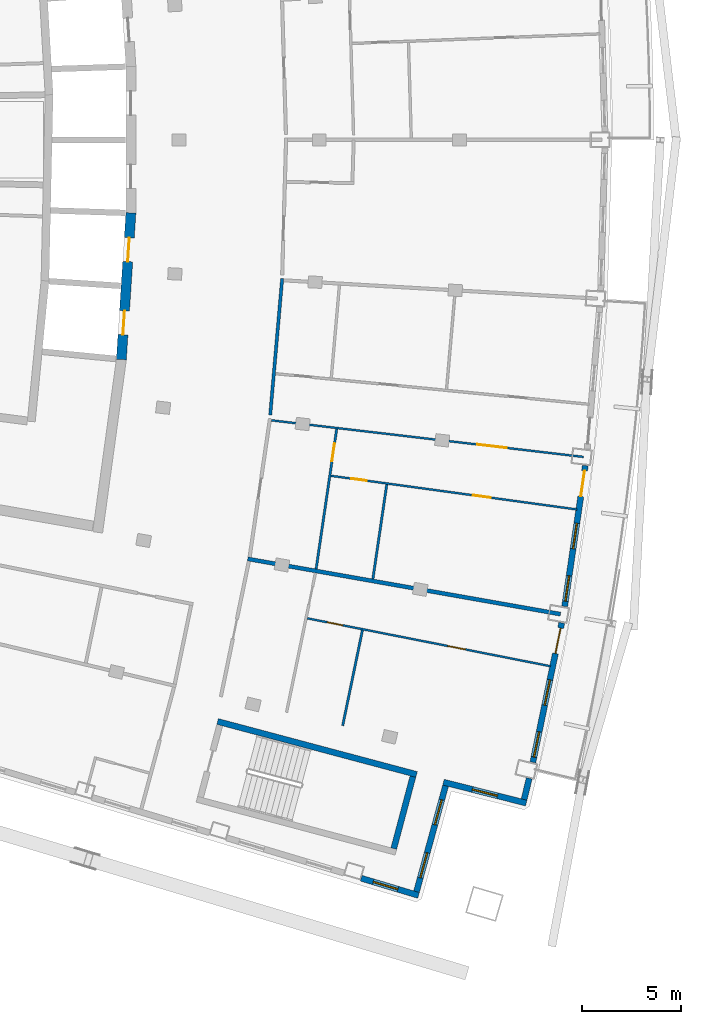
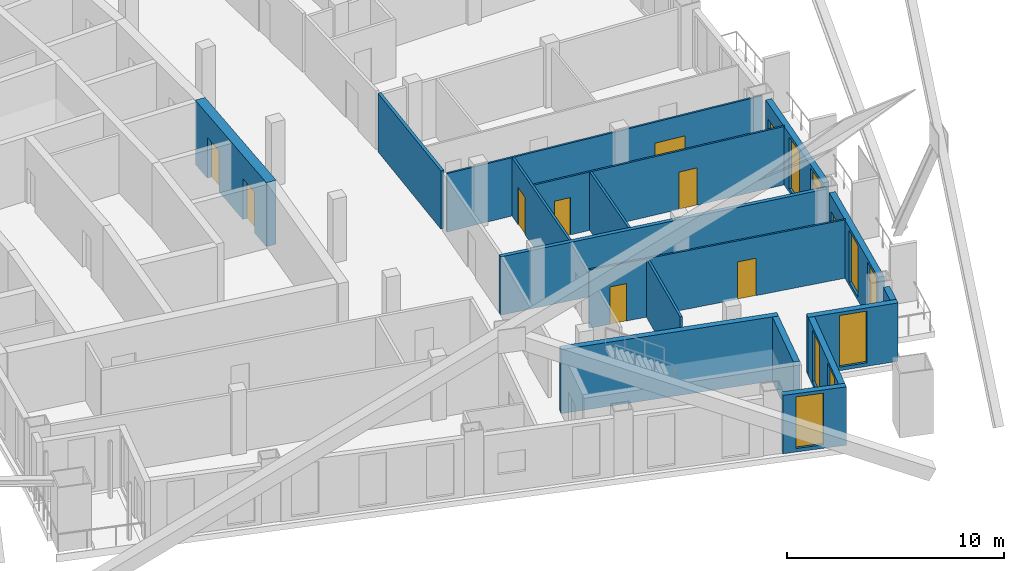
# One storey, part 9 of 16: 17 walls, 10 doors, 8 windows, 18 openings.
"""IFC4 building model written with IfcOpenShell, lengths in metres."""

from ifc_helpers import new_model, si_unit, direction, frame, frame_2d, origin, place, context, subcontext, project, spatial, rectangle, extrude, material, layer, layer_set, type_object, element, fill, save


model = new_model("IFC4")

# Units and contexts
model_context = context("Model", 3, precision=1e-05, world=origin(), true_north=direction((0.0, 1.0)))
body_context = subcontext(model_context, "Body", "Model", "MODEL_VIEW")
ifc_project = project(units=[si_unit("LENGTHUNIT", "METRE"), si_unit("AREAUNIT", "SQUARE_METRE"), si_unit("VOLUMEUNIT", "CUBIC_METRE"), si_unit("PLANEANGLEUNIT", "RADIAN"), si_unit("MASSUNIT", "GRAM", prefix="KILO")], contexts=[model_context])

# Site, building, storey
site_placement = place(None, origin())
site = spatial("IfcSite", under=ifc_project, at=site_placement, CompositionType="ELEMENT")
building_placement = place(site_placement, origin())
building = spatial("IfcBuilding", under=site, at=building_placement, Name="Alderwake Tower", CompositionType="ELEMENT")
storey_placement = place(building_placement, frame((0.0, 0.0, 245.60009765625)))
storey = spatial("IfcBuildingStorey", under=building, at=storey_placement, Name="L60", CompositionType="ELEMENT", Elevation=245.60009765625)

# Wall, openings, doors
ifc_material_1 = material(Name="Concrete C70/85", Category="concrete")
ifc_layer_1 = layer(ifc_material_1, 0.5)
ifc_layer_set_1 = layer_set([ifc_layer_1], Name="Core wall outer 500 C70-85")
wall_type_1 = type_object("IfcWallType", Name="Core wall outer 500 C70-85", PredefinedType="SHEAR", material=ifc_layer_set_1)
wall_1_placement = place(storey_placement, frame((32.91015625, 49.942138671875, 0.0), z_axis=(0.0, 0.0, 1.0), x_axis=(0.064980500916, 0.997886533881, 0.0)))
wall_1 = element("IfcWall", 1, at=wall_1_placement, inside=storey, type_object=wall_type_1, Name="Core wall CW.021", PredefinedType="SHEAR", context=body_context, shape_type="SweptSolid", body=[
    extrude(rectangle(XDim=7.39404296875, YDim=0.5, at=frame_2d((3.697021484375, 0.0))), origin(), (0.0, 0.0, 1.0), 3.599853515625),
])
opening_1_placement = place(wall_1_placement, frame((1.253173828125, 0.0, 0.0)))
opening_1 = element("IfcOpeningElement", 2, at=opening_1_placement, cuts=wall_1, Name="Opening LD-HP1", PredefinedType="OPENING", context=body_context, shape_type="SweptSolid", body=[
    extrude(rectangle(XDim=1.199951171875, YDim=2.300048828125, at=frame_2d((0.60009765625, 1.14990234375))), frame((0.0, 0.260009765625, 0.0), z_axis=(0.0, -1.0, 0.0), x_axis=(1.0, 0.0, 0.0)), (0.0, 0.0, 1.0), 0.52001953125),
])
opening_2_placement = place(wall_1_placement, frame((4.941650390625, 0.0, 0.0)))
opening_2 = element("IfcOpeningElement", 3, at=opening_2_placement, cuts=wall_1, Name="Opening LD-HP2", PredefinedType="OPENING", context=body_context, shape_type="SweptSolid", body=[
    extrude(rectangle(XDim=1.199951171875, YDim=2.300048828125, at=frame_2d((0.60009765625, 1.14990234375))), frame((0.0, 0.260009765625, 0.0), z_axis=(0.0, -1.0, 0.0), x_axis=(1.0, 0.0, 0.0)), (0.0, 0.0, 1.0), 0.52001953125),
])
ifc_material_2 = material(Name="Stainless steel sliding leaf", Category="steel")
door_type_1 = type_object("IfcDoorType", Name="Lift landing door 1200", OperationType="SLIDING_TO_LEFT", PredefinedType="DOOR", material=ifc_material_2)
door_1_placement = place(opening_1_placement, origin())
door_1 = element("IfcDoor", 4, at=door_1_placement, inside=storey, type_object=door_type_1, Name="Lift landing door HP1", OperationType="SLIDING_TO_LEFT", OverallHeight=2.300048828125, OverallWidth=1.199951171875, PredefinedType="DOOR", context=body_context, shape_type="SweptSolid", body=[
    extrude(rectangle(XDim=1.199951171875, YDim=2.300048828125, at=frame_2d((0.60009765625, 1.14990234375))), frame((0.0, 0.02490234375, 0.0), z_axis=(0.0, -1.0, 0.0), x_axis=(1.0, 0.0, 0.0)), (0.0, 0.0, 1.0), 0.050048828125),
])
fill(opening_1, door_1)
door_2_placement = place(opening_2_placement, origin())
door_2 = element("IfcDoor", 5, at=door_2_placement, inside=storey, type_object=door_type_1, Name="Lift landing door HP2", OperationType="SLIDING_TO_LEFT", OverallHeight=2.300048828125, OverallWidth=1.199951171875, PredefinedType="DOOR", context=body_context, shape_type="SweptSolid", body=[
    extrude(rectangle(XDim=1.199951171875, YDim=2.300048828125, at=frame_2d((0.60009765625, 1.14990234375))), frame((0.0, 0.02490234375, 0.0), z_axis=(0.0, -1.0, 0.0), x_axis=(1.0, 0.0, 0.0)), (0.0, 0.0, 1.0), 0.050048828125),
])
fill(opening_2, door_2)

# Walls
ifc_material_3 = material(Name="Concrete C70/85", Category="concrete")
ifc_layer_2 = layer(ifc_material_3, 0.300048828125)
ifc_layer_set_2 = layer_set([ifc_layer_2], Name="Core wall stair enclosure 300 C70-85")
wall_type_2 = type_object("IfcWallType", Name="Core wall stair enclosure 300 C70-85", PredefinedType="SHEAR", material=ifc_layer_set_2)
wall_2_placement = place(storey_placement, frame((37.75390625, 31.731201171875, 0.0), z_axis=(0.0, 0.0, 1.0), x_axis=(0.966309214305, -0.257383958996, 0.0)))
element("IfcWall", 6, at=wall_2_placement, inside=storey, type_object=wall_type_2, Name="Core wall CW.086", PredefinedType="SHEAR", context=body_context, shape_type="SweptSolid", body=[
    extrude(rectangle(XDim=10.360107421875, YDim=0.300048828125, at=frame_2d((5.18017578125, 0.0))), origin(), (0.0, 0.0, 1.0), 3.599853515625),
])
wall_3_placement = place(storey_placement, frame((46.6162109375, 25.334716796875, 0.0), z_axis=(0.0, 0.0, 1.0), x_axis=(0.257366821694, 0.966313778796, 0.0)))
element("IfcWall", 7, at=wall_3_placement, inside=storey, type_object=wall_type_2, Name="Core wall CW.085", PredefinedType="SHEAR", context=body_context, shape_type="SweptSolid", body=[
    extrude(rectangle(XDim=3.749755859375, YDim=0.300048828125, at=frame_2d((1.875, 0.0))), origin(), (0.0, 0.0, 1.0), 3.599853515625),
])
ifc_material_4 = material(Name="Gypsum board on metal studs, rated")
ifc_layer_3 = layer(ifc_material_4, 0.159912109375)
ifc_layer_set_3 = layer_set([ifc_layer_3], Name="Corridor wall 160")
wall_type_3 = type_object("IfcWallType", Name="Corridor wall 160", PredefinedType="PARTITIONING", material=ifc_layer_set_3)
wall_4_placement = place(storey_placement, frame((40.400390625, 47.15869140625, 0.0), z_axis=(0.0, 0.0, 1.0), x_axis=(0.087419573149, 0.996171580718, 0.0)))
element("IfcWall", 8, at=wall_4_placement, inside=storey, type_object=wall_type_3, Name="WL/L60/W21", PredefinedType="PARTITIONING", context=body_context, shape_type="SweptSolid", body=[
    extrude(rectangle(XDim=6.88134765625, YDim=0.159912109375, at=frame_2d((3.440673828125, 0.0))), origin(), (0.0, 0.0, 1.0), 3.27978515625),
])
ifc_material_5 = material(Name="Precast concrete C50/60 spandrel panel", Category="concrete")
ifc_layer_4 = layer(ifc_material_5, 0.300048828125)
ifc_layer_set_4 = layer_set([ifc_layer_4], Name="External wall EW1 Precast concrete C50/60 spandrel")
wall_type_4 = type_object("IfcWallType", Name="External wall EW1 Precast concrete C50/60 spandrel", PredefinedType="SOLIDWALL", material=ifc_layer_set_4)
wall_5_placement = place(storey_placement, frame((53.1728515625, 27.806396484375, 0.0), z_axis=(0.0, 0.0, 1.0), x_axis=(0.238288905539, 0.971194315005, 0.0)))
element("IfcWall", 9, at=wall_5_placement, inside=storey, type_object=wall_type_4, Name="External wall 11", PredefinedType="SOLIDWALL", context=body_context, shape_type="SweptSolid", body=[
    extrude(rectangle(XDim=1.09619140625, YDim=0.300048828125, at=frame_2d((0.548095703125, 0.0))), origin(), (0.0, 0.0, 1.0), 3.27978515625),
])

# Wall, openings, door, windows
wall_6_placement = place(storey_placement, frame((53.6162109375, 29.677734375, 0.0), z_axis=(0.0, 0.0, 1.0), x_axis=(0.202732982931, 0.979234056614, 0.0)))
wall_6 = element("IfcWall", 10, at=wall_6_placement, inside=storey, type_object=wall_type_4, Name="External wall 12", PredefinedType="SOLIDWALL", context=body_context, shape_type="SweptSolid", body=[
    extrude(rectangle(XDim=7.16162109375, YDim=0.300048828125, at=frame_2d((3.580810546875, 0.0))), origin(), (0.0, 0.0, 1.0), 3.27978515625),
])
opening_3_placement = place(wall_6_placement, frame((0.267333984375, 0.0, 0.199951171875)))
opening_3 = element("IfcOpeningElement", 11, at=opening_3_placement, cuts=wall_6, Name="Opening W1", PredefinedType="OPENING", context=body_context, shape_type="SweptSolid", body=[
    extrude(rectangle(XDim=1.300048828125, YDim=2.89990234375, at=frame_2d((0.64990234375, 1.449951171875))), frame((0.0, 0.159912109375, 0.0), z_axis=(0.0, -1.0, 0.0), x_axis=(1.0, 0.0, 0.0)), (0.0, 0.0, 1.0), 0.320068359375),
])
opening_4_placement = place(wall_6_placement, frame((2.930908203125, 0.0, 0.199951171875)))
opening_4 = element("IfcOpeningElement", 12, at=opening_4_placement, cuts=wall_6, Name="Opening W1", PredefinedType="OPENING", context=body_context, shape_type="SweptSolid", body=[
    extrude(rectangle(XDim=1.300048828125, YDim=2.89990234375, at=frame_2d((0.64990234375, 1.449951171875))), frame((0.0, 0.159912109375, 0.0), z_axis=(0.0, -1.0, 0.0), x_axis=(1.0, 0.0, 0.0)), (0.0, 0.0, 1.0), 0.320068359375),
])
opening_5_placement = place(wall_6_placement, frame((5.594482421875, 0.0, 0.0)))
opening_5 = element("IfcOpeningElement", 13, at=opening_5_placement, cuts=wall_6, Name="Opening D02", PredefinedType="OPENING", context=body_context, shape_type="SweptSolid", body=[
    extrude(rectangle(XDim=1.300048828125, YDim=2.39990234375, at=frame_2d((0.64990234375, 1.199951171875))), frame((0.0, 0.159912109375, 0.0), z_axis=(0.0, -1.0, 0.0), x_axis=(1.0, 0.0, 0.0)), (0.0, 0.0, 1.0), 0.320068359375),
])
ifc_material_6 = material(Name="Bronze tinted glass in aluminium frame", Category="aluminium")
door_type_2 = type_object("IfcDoorType", Name="Balcony door BD sliding", OperationType="SLIDING_TO_LEFT", PredefinedType="DOOR", material=ifc_material_6)
door_3_placement = place(opening_5_placement, origin())
door_3 = element("IfcDoor", 14, at=door_3_placement, inside=storey, type_object=door_type_2, Name="Door D02", OperationType="SLIDING_TO_LEFT", OverallHeight=2.39990234375, OverallWidth=1.300048828125, PredefinedType="DOOR", context=body_context, shape_type="SweptSolid", body=[
    extrude(rectangle(XDim=1.300048828125, YDim=2.39990234375, at=frame_2d((0.64990234375, 1.199951171875))), frame((0.0, 0.02490234375, 0.0), z_axis=(0.0, -1.0, 0.0), x_axis=(1.0, 0.0, 0.0)), (0.0, 0.0, 1.0), 0.050048828125),
])
fill(opening_5, door_3)
ifc_material_7 = material(Name="Bronze tinted glass in aluminium frame", Category="aluminium")
window_type = type_object("IfcWindowType", Name="Window W1 tall fixed and vent", PartitioningType="DOUBLE_PANEL_VERTICAL", PredefinedType="WINDOW", material=ifc_material_7)
window_1_placement = place(opening_3_placement, origin())
window_1 = element("IfcWindow", 15, at=window_1_placement, inside=storey, type_object=window_type, Name="Window W1 tall fixed and vent", OverallHeight=2.89990234375, OverallWidth=1.300048828125, PartitioningType="DOUBLE_PANEL_VERTICAL", PredefinedType="WINDOW", context=body_context, shape_type="SweptSolid", body=[
    extrude(rectangle(XDim=1.300048828125, YDim=2.89990234375, at=frame_2d((0.64990234375, 1.449951171875))), frame((0.0, 0.030029296875, 0.0), z_axis=(0.0, -1.0, 0.0), x_axis=(1.0, 0.0, 0.0)), (0.0, 0.0, 1.0), 0.06005859375),
])
fill(opening_3, window_1)
window_2_placement = place(opening_4_placement, origin())
window_2 = element("IfcWindow", 16, at=window_2_placement, inside=storey, type_object=window_type, Name="Window W1 tall fixed and vent", OverallHeight=2.89990234375, OverallWidth=1.300048828125, PartitioningType="DOUBLE_PANEL_VERTICAL", PredefinedType="WINDOW", context=body_context, shape_type="SweptSolid", body=[
    extrude(rectangle(XDim=1.300048828125, YDim=2.89990234375, at=frame_2d((0.64990234375, 1.449951171875))), frame((0.0, 0.030029296875, 0.0), z_axis=(0.0, -1.0, 0.0), x_axis=(1.0, 0.0, 0.0)), (0.0, 0.0, 1.0), 0.06005859375),
])
fill(opening_4, window_2)

wall_7_placement = place(storey_placement, frame((55.21484375, 37.52099609375, 0.0), z_axis=(0.0, 0.0, 1.0), x_axis=(0.145324203969, 0.989384089088, 0.0)))
wall_7 = element("IfcWall", 17, at=wall_7_placement, inside=storey, type_object=wall_type_4, Name="External wall 13", PredefinedType="SOLIDWALL", context=body_context, shape_type="SweptSolid", body=[
    extrude(rectangle(XDim=7.16162109375, YDim=0.300048828125, at=frame_2d((3.580810546875, 0.0))), origin(), (0.0, 0.0, 1.0), 3.27978515625),
])
opening_6_placement = place(wall_7_placement, frame((0.267333984375, 0.0, 0.199951171875)))
opening_6 = element("IfcOpeningElement", 18, at=opening_6_placement, cuts=wall_7, Name="Opening W1", PredefinedType="OPENING", context=body_context, shape_type="SweptSolid", body=[
    extrude(rectangle(XDim=1.300048828125, YDim=2.89990234375, at=frame_2d((0.64990234375, 1.449951171875))), frame((0.0, 0.159912109375, 0.0), z_axis=(0.0, -1.0, 0.0), x_axis=(1.0, 0.0, 0.0)), (0.0, 0.0, 1.0), 0.320068359375),
])
opening_7_placement = place(wall_7_placement, frame((2.930908203125, 0.0, 0.199951171875)))
opening_7 = element("IfcOpeningElement", 19, at=opening_7_placement, cuts=wall_7, Name="Opening W1", PredefinedType="OPENING", context=body_context, shape_type="SweptSolid", body=[
    extrude(rectangle(XDim=1.300048828125, YDim=2.89990234375, at=frame_2d((0.64990234375, 1.449951171875))), frame((0.0, 0.159912109375, 0.0), z_axis=(0.0, -1.0, 0.0), x_axis=(1.0, 0.0, 0.0)), (0.0, 0.0, 1.0), 0.320068359375),
])
opening_8_placement = place(wall_7_placement, frame((5.594482421875, 0.0, 0.0)))
opening_8 = element("IfcOpeningElement", 20, at=opening_8_placement, cuts=wall_7, Name="Opening D03", PredefinedType="OPENING", context=body_context, shape_type="SweptSolid", body=[
    extrude(rectangle(XDim=1.300048828125, YDim=2.39990234375, at=frame_2d((0.64990234375, 1.199951171875))), frame((0.0, 0.159912109375, 0.0), z_axis=(0.0, -1.0, 0.0), x_axis=(1.0, 0.0, 0.0)), (0.0, 0.0, 1.0), 0.320068359375),
])
door_4_placement = place(opening_8_placement, origin())
door_4 = element("IfcDoor", 21, at=door_4_placement, inside=storey, type_object=door_type_2, Name="Door D03", OperationType="SLIDING_TO_LEFT", OverallHeight=2.39990234375, OverallWidth=1.300048828125, PredefinedType="DOOR", context=body_context, shape_type="SweptSolid", body=[
    extrude(rectangle(XDim=1.300048828125, YDim=2.39990234375, at=frame_2d((0.64990234375, 1.199951171875))), frame((0.0, 0.02490234375, 0.0), z_axis=(0.0, -1.0, 0.0), x_axis=(1.0, 0.0, 0.0)), (0.0, 0.0, 1.0), 0.050048828125),
])
fill(opening_8, door_4)
window_3_placement = place(opening_6_placement, origin())
window_3 = element("IfcWindow", 22, at=window_3_placement, inside=storey, type_object=window_type, Name="Window W1 tall fixed and vent", OverallHeight=2.89990234375, OverallWidth=1.300048828125, PartitioningType="DOUBLE_PANEL_VERTICAL", PredefinedType="WINDOW", context=body_context, shape_type="SweptSolid", body=[
    extrude(rectangle(XDim=1.300048828125, YDim=2.89990234375, at=frame_2d((0.64990234375, 1.449951171875))), frame((0.0, 0.030029296875, 0.0), z_axis=(0.0, -1.0, 0.0), x_axis=(1.0, 0.0, 0.0)), (0.0, 0.0, 1.0), 0.06005859375),
])
fill(opening_6, window_3)
window_4_placement = place(opening_7_placement, origin())
window_4 = element("IfcWindow", 23, at=window_4_placement, inside=storey, type_object=window_type, Name="Window W1 tall fixed and vent", OverallHeight=2.89990234375, OverallWidth=1.300048828125, PartitioningType="DOUBLE_PANEL_VERTICAL", PredefinedType="WINDOW", context=body_context, shape_type="SweptSolid", body=[
    extrude(rectangle(XDim=1.300048828125, YDim=2.89990234375, at=frame_2d((0.64990234375, 1.449951171875))), frame((0.0, 0.030029296875, 0.0), z_axis=(0.0, -1.0, 0.0), x_axis=(1.0, 0.0, 0.0)), (0.0, 0.0, 1.0), 0.06005859375),
])
fill(opening_7, window_4)

# Wall, opening, window
ifc_material_8 = material(Name="Bronze metal cladding on lightweight framing")
ifc_layer_5 = layer(ifc_material_8, 0.300048828125)
ifc_layer_set_5 = layer_set([ifc_layer_5], Name="External wall EW2 bronze metal cladding")
wall_type_5 = type_object("IfcWallType", Name="External wall EW2 bronze metal cladding", PredefinedType="SOLIDWALL", material=ifc_layer_set_5)
wall_8_placement = place(storey_placement, frame((44.9775390625, 23.843505859375, 0.0), z_axis=(0.0, 0.0, 1.0), x_axis=(0.957781669683, -0.287496562101, 0.0)))
wall_8 = element("IfcWall", 24, at=wall_8_placement, inside=storey, type_object=wall_type_5, Name="External wall 8", PredefinedType="SOLIDWALL", context=body_context, shape_type="SweptSolid", body=[
    extrude(rectangle(XDim=3.012939453125, YDim=0.300048828125, at=frame_2d((1.50634765625, 0.0))), origin(), (0.0, 0.0, 1.0), 3.27978515625),
])
opening_9_placement = place(wall_8_placement, frame((0.630859375, 0.0, 0.199951171875)))
opening_9 = element("IfcOpeningElement", 25, at=opening_9_placement, cuts=wall_8, Name="Opening W1", PredefinedType="OPENING", context=body_context, shape_type="SweptSolid", body=[
    extrude(rectangle(XDim=1.300048828125, YDim=2.89990234375, at=frame_2d((0.64990234375, 1.449951171875))), frame((0.0, 0.159912109375, 0.0), z_axis=(0.0, -1.0, 0.0), x_axis=(1.0, 0.0, 0.0)), (0.0, 0.0, 1.0), 0.320068359375),
])
window_5_placement = place(opening_9_placement, origin())
window_5 = element("IfcWindow", 26, at=window_5_placement, inside=storey, type_object=window_type, Name="Window W1 tall fixed and vent", OverallHeight=2.89990234375, OverallWidth=1.300048828125, PartitioningType="DOUBLE_PANEL_VERTICAL", PredefinedType="WINDOW", context=body_context, shape_type="SweptSolid", body=[
    extrude(rectangle(XDim=1.300048828125, YDim=2.89990234375, at=frame_2d((0.64990234375, 1.449951171875))), frame((0.0, 0.030029296875, 0.0), z_axis=(0.0, -1.0, 0.0), x_axis=(1.0, 0.0, 0.0)), (0.0, 0.0, 1.0), 0.06005859375),
])
fill(opening_9, window_5)

# Wall, openings, windows
wall_9_placement = place(storey_placement, frame((47.759521484375, 23.164794921875, 0.0), z_axis=(0.0, 0.0, 1.0), x_axis=(0.265055910213, 0.964233044684, 0.0)))
wall_9 = element("IfcWall", 27, at=wall_9_placement, inside=storey, type_object=wall_type_5, Name="External wall 9", PredefinedType="SOLIDWALL", context=body_context, shape_type="SweptSolid", body=[
    extrude(rectangle(XDim=5.529296875, YDim=0.300048828125, at=frame_2d((2.7646484375, 0.0))), origin(), (0.0, 0.0, 1.0), 3.27978515625),
])
opening_10_placement = place(wall_9_placement, frame((0.732421875, 0.0, 0.199951171875)))
opening_10 = element("IfcOpeningElement", 28, at=opening_10_placement, cuts=wall_9, Name="Opening W1", PredefinedType="OPENING", context=body_context, shape_type="SweptSolid", body=[
    extrude(rectangle(XDim=1.300048828125, YDim=2.89990234375, at=frame_2d((0.64990234375, 1.449951171875))), frame((0.0, 0.159912109375, 0.0), z_axis=(0.0, -1.0, 0.0), x_axis=(1.0, 0.0, 0.0)), (0.0, 0.0, 1.0), 0.320068359375),
])
opening_11_placement = place(wall_9_placement, frame((3.496826171875, 0.0, 0.199951171875)))
opening_11 = element("IfcOpeningElement", 29, at=opening_11_placement, cuts=wall_9, Name="Opening W1", PredefinedType="OPENING", context=body_context, shape_type="SweptSolid", body=[
    extrude(rectangle(XDim=1.300048828125, YDim=2.89990234375, at=frame_2d((0.64990234375, 1.449951171875))), frame((0.0, 0.159912109375, 0.0), z_axis=(0.0, -1.0, 0.0), x_axis=(1.0, 0.0, 0.0)), (0.0, 0.0, 1.0), 0.320068359375),
])
window_6_placement = place(opening_10_placement, origin())
window_6 = element("IfcWindow", 30, at=window_6_placement, inside=storey, type_object=window_type, Name="Window W1 tall fixed and vent", OverallHeight=2.89990234375, OverallWidth=1.300048828125, PartitioningType="DOUBLE_PANEL_VERTICAL", PredefinedType="WINDOW", context=body_context, shape_type="SweptSolid", body=[
    extrude(rectangle(XDim=1.300048828125, YDim=2.89990234375, at=frame_2d((0.64990234375, 1.449951171875))), frame((0.0, 0.030029296875, 0.0), z_axis=(0.0, -1.0, 0.0), x_axis=(1.0, 0.0, 0.0)), (0.0, 0.0, 1.0), 0.06005859375),
])
fill(opening_10, window_6)
window_7_placement = place(opening_11_placement, origin())
window_7 = element("IfcWindow", 31, at=window_7_placement, inside=storey, type_object=window_type, Name="Window W1 tall fixed and vent", OverallHeight=2.89990234375, OverallWidth=1.300048828125, PartitioningType="DOUBLE_PANEL_VERTICAL", PredefinedType="WINDOW", context=body_context, shape_type="SweptSolid", body=[
    extrude(rectangle(XDim=1.300048828125, YDim=2.89990234375, at=frame_2d((0.64990234375, 1.449951171875))), frame((0.0, 0.030029296875, 0.0), z_axis=(0.0, -1.0, 0.0), x_axis=(1.0, 0.0, 0.0)), (0.0, 0.0, 1.0), 0.06005859375),
])
fill(opening_11, window_7)

# Wall, opening, window
wall_10_placement = place(storey_placement, frame((49.11962890625, 28.677734375, 0.0), z_axis=(0.0, 0.0, 1.0), x_axis=(0.969425962264, -0.245383992325, 0.0)))
wall_10 = element("IfcWall", 32, at=wall_10_placement, inside=storey, type_object=wall_type_5, Name="External wall 10", PredefinedType="SOLIDWALL", context=body_context, shape_type="SweptSolid", body=[
    extrude(rectangle(XDim=4.294189453125, YDim=0.300048828125, at=frame_2d((2.14697265625, 0.0))), origin(), (0.0, 0.0, 1.0), 3.27978515625),
])
opening_12_placement = place(wall_10_placement, frame((1.4970703125, 0.0, 0.199951171875)))
opening_12 = element("IfcOpeningElement", 33, at=opening_12_placement, cuts=wall_10, Name="Opening W1", PredefinedType="OPENING", context=body_context, shape_type="SweptSolid", body=[
    extrude(rectangle(XDim=1.300048828125, YDim=2.89990234375, at=frame_2d((0.64990234375, 1.449951171875))), frame((0.0, 0.159912109375, 0.0), z_axis=(0.0, -1.0, 0.0), x_axis=(1.0, 0.0, 0.0)), (0.0, 0.0, 1.0), 0.320068359375),
])
window_8_placement = place(opening_12_placement, origin())
window_8 = element("IfcWindow", 34, at=window_8_placement, inside=storey, type_object=window_type, Name="Window W1 tall fixed and vent", OverallHeight=2.89990234375, OverallWidth=1.300048828125, PartitioningType="DOUBLE_PANEL_VERTICAL", PredefinedType="WINDOW", context=body_context, shape_type="SweptSolid", body=[
    extrude(rectangle(XDim=1.300048828125, YDim=2.89990234375, at=frame_2d((0.64990234375, 1.449951171875))), frame((0.0, 0.030029296875, 0.0), z_axis=(0.0, -1.0, 0.0), x_axis=(1.0, 0.0, 0.0)), (0.0, 0.0, 1.0), 0.06005859375),
])
fill(opening_12, window_8)

# Wall
ifc_material_9 = material(Name="Dense block masonry wall", Category="masonry")
ifc_layer_6 = layer(ifc_material_9, 0.199951171875)
ifc_layer_set_6 = layer_set([ifc_layer_6], Name="Party wall 200")
wall_type_6 = type_object("IfcWallType", Name="Party wall 200", PredefinedType="SOLIDWALL", material=ifc_layer_set_6)
wall_11_placement = place(storey_placement, frame((55.0048828125, 37.131103515625, 0.0), z_axis=(0.0, 0.0, 1.0), x_axis=(-0.984752319184, 0.173962265624, 0.0)))
element("IfcWall", 35, at=wall_11_placement, inside=storey, type_object=wall_type_6, Name="WL/L60/W02", PredefinedType="SOLIDWALL", context=body_context, shape_type="SweptSolid", body=[
    extrude(rectangle(XDim=15.979248046875, YDim=0.199951171875, at=frame_2d((7.98974609375, 0.0))), origin(), (0.0, 0.0, 1.0), 3.27978515625),
])

# Wall, opening, door
ifc_material_10 = material(Name="Gypsum board on metal studs")
ifc_layer_7 = layer(ifc_material_10, 0.10009765625)
ifc_layer_set_7 = layer_set([ifc_layer_7], Name="Unit partition 100")
wall_type_7 = type_object("IfcWallType", Name="Unit partition 100", PredefinedType="PARTITIONING", material=ifc_layer_set_7)
wall_12_placement = place(storey_placement, frame((40.45654296875, 46.8837890625, 0.0), z_axis=(0.0, 0.0, 1.0), x_axis=(0.993199815396, -0.116422191605, 0.0)))
wall_12 = element("IfcWall", 36, at=wall_12_placement, inside=storey, type_object=wall_type_7, Name="WL/L60/W46", PredefinedType="PARTITIONING", context=body_context, shape_type="SweptSolid", body=[
    extrude(rectangle(XDim=15.820068359375, YDim=0.10009765625, at=frame_2d((7.91015625, 0.0))), origin(), (0.0, 0.0, 1.0), 3.27978515625),
])
opening_13_placement = place(wall_12_placement, frame((10.43310546875, 0.0, 0.0)))
opening_13 = element("IfcOpeningElement", 37, at=opening_13_placement, cuts=wall_12, Name="Opening R17-U04.8", PredefinedType="OPENING", context=body_context, shape_type="SweptSolid", body=[
    extrude(rectangle(XDim=1.5, YDim=2.10009765625, at=frame_2d((0.75, 1.050048828125))), frame((0.0, 0.06005859375, 0.0), z_axis=(0.0, -1.0, 0.0), x_axis=(1.0, 0.0, 0.0)), (0.0, 0.0, 1.0), 0.1201171875),
])
ifc_material_11 = material(Name="Painted timber leaves", Category="wood")
door_type_3 = type_object("IfcDoorType", Name="Double leaf door 1500", OperationType="DOUBLE_DOOR_SINGLE_SWING", PredefinedType="DOOR", material=ifc_material_11)
door_5_placement = place(opening_13_placement, origin())
door_5 = element("IfcDoor", 38, at=door_5_placement, inside=storey, type_object=door_type_3, Name="DR/L60/U04.8", OperationType="DOUBLE_DOOR_SINGLE_SWING", OverallHeight=2.10009765625, OverallWidth=1.5, PredefinedType="DOOR", context=body_context, shape_type="SweptSolid", body=[
    extrude(rectangle(XDim=1.5, YDim=2.10009765625, at=frame_2d((0.75, 1.050048828125))), frame((0.0, 0.02490234375, 0.0), z_axis=(0.0, -1.0, 0.0), x_axis=(1.0, 0.0, 0.0)), (0.0, 0.0, 1.0), 0.050048828125),
])
fill(opening_13, door_5)

# Wall, openings, doors
wall_13_placement = place(storey_placement, frame((54.512939453125, 34.509033203125, 0.0), z_axis=(0.0, 0.0, 1.0), x_axis=(-0.981147486364, 0.193260471907, 0.0)))
wall_13 = element("IfcWall", 39, at=wall_13_placement, inside=storey, type_object=wall_type_7, Name="WL/L60/W48", PredefinedType="PARTITIONING", context=body_context, shape_type="SweptSolid", body=[
    extrude(rectangle(XDim=12.482421875, YDim=0.10009765625, at=frame_2d((6.2412109375, 0.0))), origin(), (0.0, 0.0, 1.0), 3.27978515625),
])
opening_14_placement = place(wall_13_placement, frame((10.663818359375, 0.0, 0.0)))
opening_14 = element("IfcOpeningElement", 40, at=opening_14_placement, cuts=wall_13, Name="Opening R17-U03.3", PredefinedType="OPENING", context=body_context, shape_type="SweptSolid", body=[
    extrude(rectangle(XDim=0.800048828125, YDim=2.10009765625, at=frame_2d((0.39990234375, 1.050048828125))), frame((0.0, 0.06005859375, 0.0), z_axis=(0.0, -1.0, 0.0), x_axis=(1.0, 0.0, 0.0)), (0.0, 0.0, 1.0), 0.1201171875),
])
opening_15_placement = place(wall_13_placement, frame((4.37255859375, 0.0, 0.0)))
opening_15 = element("IfcOpeningElement", 41, at=opening_15_placement, cuts=wall_13, Name="Opening R17-U03.4", PredefinedType="OPENING", context=body_context, shape_type="SweptSolid", body=[
    extrude(rectangle(XDim=0.89990234375, YDim=2.10009765625, at=frame_2d((0.449951171875, 1.050048828125))), frame((0.0, 0.06005859375, 0.0), z_axis=(0.0, -1.0, 0.0), x_axis=(1.0, 0.0, 0.0)), (0.0, 0.0, 1.0), 0.1201171875),
])
ifc_material_12 = material(Name="Painted timber leaf", Category="wood")
door_type_4 = type_object("IfcDoorType", Name="Bathroom door 800", OperationType="SINGLE_SWING_LEFT", PredefinedType="DOOR", material=ifc_material_12)
door_6_placement = place(opening_14_placement, origin())
door_6 = element("IfcDoor", 42, at=door_6_placement, inside=storey, type_object=door_type_4, Name="DR/L60/U03.3", OperationType="SINGLE_SWING_LEFT", OverallHeight=2.10009765625, OverallWidth=0.800048828125, PredefinedType="DOOR", context=body_context, shape_type="SweptSolid", body=[
    extrude(rectangle(XDim=0.800048828125, YDim=2.10009765625, at=frame_2d((0.39990234375, 1.050048828125))), frame((0.0, 0.02490234375, 0.0), z_axis=(0.0, -1.0, 0.0), x_axis=(1.0, 0.0, 0.0)), (0.0, 0.0, 1.0), 0.050048828125),
])
fill(opening_14, door_6)
ifc_material_13 = material(Name="Painted timber leaf", Category="wood")
door_type_5 = type_object("IfcDoorType", Name="Room door 900", OperationType="SINGLE_SWING_LEFT", PredefinedType="DOOR", material=ifc_material_13)
door_7_placement = place(opening_15_placement, origin())
door_7 = element("IfcDoor", 43, at=door_7_placement, inside=storey, type_object=door_type_5, Name="DR/L60/U03.4", OperationType="SINGLE_SWING_LEFT", OverallHeight=2.10009765625, OverallWidth=0.89990234375, PredefinedType="DOOR", context=body_context, shape_type="SweptSolid", body=[
    extrude(rectangle(XDim=0.89990234375, YDim=2.10009765625, at=frame_2d((0.449951171875, 1.050048828125))), frame((0.0, 0.02490234375, 0.0), z_axis=(0.0, -1.0, 0.0), x_axis=(1.0, 0.0, 0.0)), (0.0, 0.0, 1.0), 0.050048828125),
])
fill(opening_15, door_7)

wall_14_placement = place(storey_placement, frame((55.830078125, 42.39892578125, 0.0), z_axis=(0.0, 0.0, 1.0), x_axis=(-0.990764604632, 0.135593134815, 0.0)))
wall_14 = element("IfcWall", 44, at=wall_14_placement, inside=storey, type_object=wall_type_7, Name="WL/L60/W50", PredefinedType="PARTITIONING", context=body_context, shape_type="SweptSolid", body=[
    extrude(rectangle(XDim=12.48486328125, YDim=0.10009765625, at=frame_2d((6.242431640625, 0.0))), origin(), (0.0, 0.0, 1.0), 3.27978515625),
])
opening_16_placement = place(wall_14_placement, frame((10.665283203125, 0.0, 0.0)))
opening_16 = element("IfcOpeningElement", 45, at=opening_16_placement, cuts=wall_14, Name="Opening R17-U04.3", PredefinedType="OPENING", context=body_context, shape_type="SweptSolid", body=[
    extrude(rectangle(XDim=0.800048828125, YDim=2.10009765625, at=frame_2d((0.39990234375, 1.050048828125))), frame((0.0, 0.06005859375, 0.0), z_axis=(0.0, -1.0, 0.0), x_axis=(1.0, 0.0, 0.0)), (0.0, 0.0, 1.0), 0.1201171875),
])
opening_17_placement = place(wall_14_placement, frame((4.37353515625, 0.0, 0.0)))
opening_17 = element("IfcOpeningElement", 46, at=opening_17_placement, cuts=wall_14, Name="Opening R17-U04.4", PredefinedType="OPENING", context=body_context, shape_type="SweptSolid", body=[
    extrude(rectangle(XDim=0.89990234375, YDim=2.10009765625, at=frame_2d((0.449951171875, 1.050048828125))), frame((0.0, 0.06005859375, 0.0), z_axis=(0.0, -1.0, 0.0), x_axis=(1.0, 0.0, 0.0)), (0.0, 0.0, 1.0), 0.1201171875),
])
door_8_placement = place(opening_16_placement, origin())
door_8 = element("IfcDoor", 47, at=door_8_placement, inside=storey, type_object=door_type_4, Name="DR/L60/U04.3", OperationType="SINGLE_SWING_LEFT", OverallHeight=2.10009765625, OverallWidth=0.800048828125, PredefinedType="DOOR", context=body_context, shape_type="SweptSolid", body=[
    extrude(rectangle(XDim=0.800048828125, YDim=2.10009765625, at=frame_2d((0.39990234375, 1.050048828125))), frame((0.0, 0.02490234375, 0.0), z_axis=(0.0, -1.0, 0.0), x_axis=(1.0, 0.0, 0.0)), (0.0, 0.0, 1.0), 0.050048828125),
])
fill(opening_16, door_8)
door_9_placement = place(opening_17_placement, origin())
door_9 = element("IfcDoor", 48, at=door_9_placement, inside=storey, type_object=door_type_5, Name="DR/L60/U04.4", OperationType="SINGLE_SWING_LEFT", OverallHeight=2.10009765625, OverallWidth=0.89990234375, PredefinedType="DOOR", context=body_context, shape_type="SweptSolid", body=[
    extrude(rectangle(XDim=0.89990234375, YDim=2.10009765625, at=frame_2d((0.449951171875, 1.050048828125))), frame((0.0, 0.02490234375, 0.0), z_axis=(0.0, -1.0, 0.0), x_axis=(1.0, 0.0, 0.0)), (0.0, 0.0, 1.0), 0.050048828125),
])
fill(opening_17, door_9)

# Wall, opening, door
ifc_material_14 = material(Name="Moisture resistant gypsum board on metal studs")
ifc_layer_8 = layer(ifc_material_14, 0.1201171875)
ifc_layer_set_8 = layer_set([ifc_layer_8], Name="Wet room partition 120")
wall_type_8 = type_object("IfcWallType", Name="Wet room partition 120", PredefinedType="PARTITIONING", material=ifc_layer_set_8)
wall_15_placement = place(storey_placement, frame((43.74462890625, 46.447509765625, 0.0), z_axis=(0.0, 0.0, 1.0), x_axis=(-0.145290574876, -0.989389028063, 0.0)))
wall_15 = element("IfcWall", 49, at=wall_15_placement, inside=storey, type_object=wall_type_8, Name="WL/L60/W35", PredefinedType="PARTITIONING", context=body_context, shape_type="SweptSolid", body=[
    extrude(rectangle(XDim=7.117919921875, YDim=0.1201171875, at=frame_2d((3.55908203125, 0.0))), origin(), (0.0, 0.0, 1.0), 3.27978515625),
])
opening_18_placement = place(wall_15_placement, frame((0.736572265625, 0.0, 0.0)))
opening_18 = element("IfcOpeningElement", 50, at=opening_18_placement, cuts=wall_15, Name="Opening R17-U04.2", PredefinedType="OPENING", context=body_context, shape_type="SweptSolid", body=[
    extrude(rectangle(XDim=0.89990234375, YDim=2.10009765625, at=frame_2d((0.449951171875, 1.050048828125))), frame((0.0, 0.070068359375, 0.0), z_axis=(0.0, -1.0, 0.0), x_axis=(1.0, 0.0, 0.0)), (0.0, 0.0, 1.0), 0.14013671875),
])
door_10_placement = place(opening_18_placement, origin())
door_10 = element("IfcDoor", 51, at=door_10_placement, inside=storey, type_object=door_type_5, Name="DR/L60/U04.2", OperationType="SINGLE_SWING_LEFT", OverallHeight=2.10009765625, OverallWidth=0.89990234375, PredefinedType="DOOR", context=body_context, shape_type="SweptSolid", body=[
    extrude(rectangle(XDim=0.89990234375, YDim=2.10009765625, at=frame_2d((0.449951171875, 1.050048828125))), frame((0.0, 0.02490234375, 0.0), z_axis=(0.0, -1.0, 0.0), x_axis=(1.0, 0.0, 0.0)), (0.0, 0.0, 1.0), 0.050048828125),
])
fill(opening_18, door_10)

# Walls
wall_16_placement = place(storey_placement, frame((44.0458984375, 31.51806640625, 0.0), z_axis=(0.0, 0.0, 1.0), x_axis=(0.202681240661, 0.979244767504, 0.0)))
element("IfcWall", 52, at=wall_16_placement, inside=storey, type_object=wall_type_8, Name="WL/L60/W39", PredefinedType="PARTITIONING", context=body_context, shape_type="SweptSolid", body=[
    extrude(rectangle(XDim=4.90966796875, YDim=0.1201171875, at=frame_2d((2.454833984375, 0.0))), origin(), (0.0, 0.0, 1.0), 3.27978515625),
])
wall_17_placement = place(storey_placement, frame((45.56640625, 38.90087890625, 0.0), z_axis=(0.0, 0.0, 1.0), x_axis=(0.145238137818, 0.989396726962, 0.0)))
element("IfcWall", 53, at=wall_17_placement, inside=storey, type_object=wall_type_8, Name="WL/L60/W41", PredefinedType="PARTITIONING", context=body_context, shape_type="SweptSolid", body=[
    extrude(rectangle(XDim=4.8076171875, YDim=0.1201171875, at=frame_2d((2.40380859375, 0.0))), origin(), (0.0, 0.0, 1.0), 3.27978515625),
])

save(model, "model.ifc")
